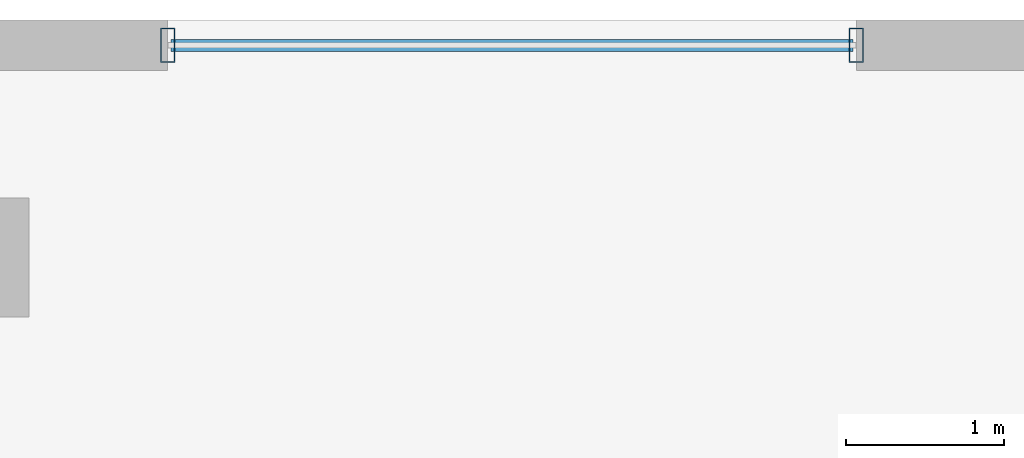
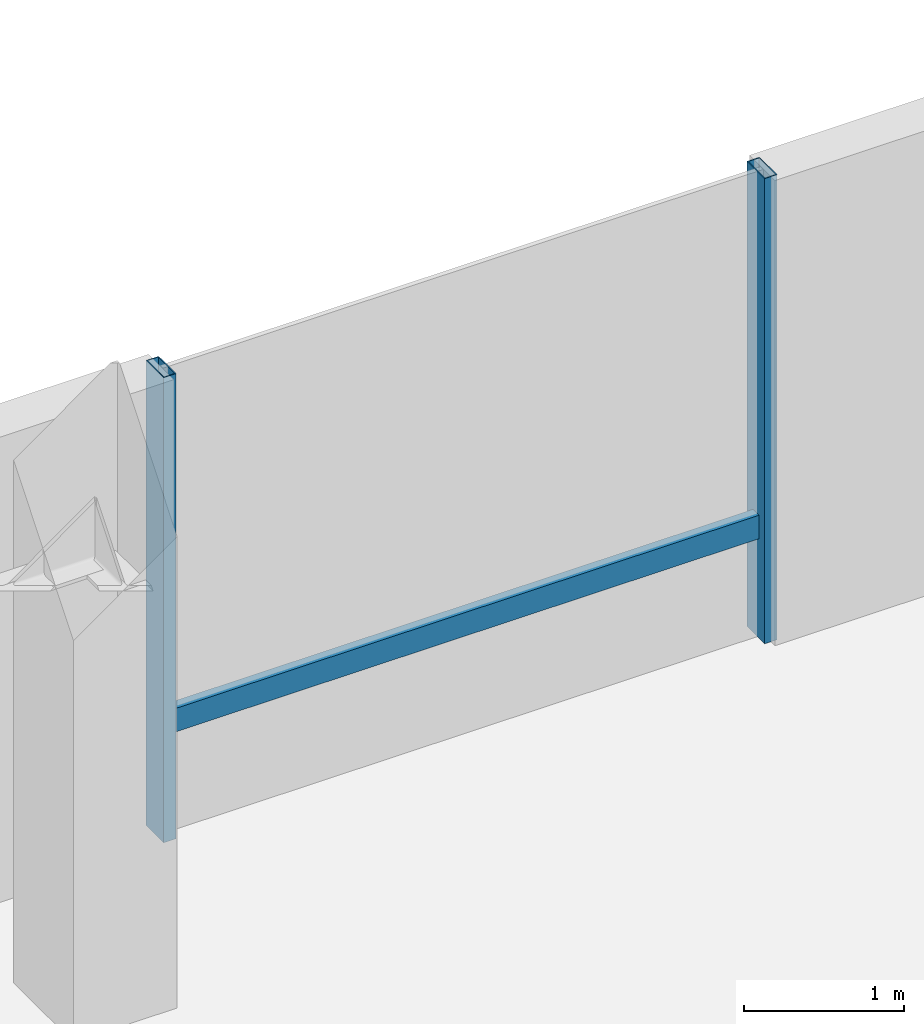
# One storey, part 11 of 25: 3 members, 1 element without a shape of its own.
"""IFC4 building model written with IfcOpenShell, lengths in metres."""

from ifc_helpers import new_model, si_unit, direction, frame, origin, origin_2d, place, context, subcontext, project, spatial, hollow_rectangle, extrude, material, material_profile, profile_set, type_object, element, aggregate, save


model = new_model("IFC4")

# Units and contexts
model_context = context("Model", 3, precision=1e-05, world=origin(), true_north=direction((0.0, 1.0)))
body_context = subcontext(model_context, "Body", "Model", "MODEL_VIEW")
ifc_project = project(units=[si_unit("LENGTHUNIT", "METRE"), si_unit("AREAUNIT", "SQUARE_METRE"), si_unit("VOLUMEUNIT", "CUBIC_METRE"), si_unit("PLANEANGLEUNIT", "RADIAN"), si_unit("MASSUNIT", "GRAM", prefix="KILO")], contexts=[model_context])

# Site, building, storey
site_placement = place(None, origin())
site = spatial("IfcSite", under=ifc_project, at=site_placement, CompositionType="ELEMENT")
building_placement = place(site_placement, origin())
building = spatial("IfcBuilding", under=site, at=building_placement, Name="Thornwick Lancets Civic Towers", CompositionType="ELEMENT")
storey_placement = place(building_placement, frame((0.0, 0.0, 9.60009765625)))
storey = spatial("IfcBuildingStorey", under=building, at=storey_placement, Name="L02", CompositionType="ELEMENT", Elevation=9.60009765625)

# Curtain wall, members
ifc_material_1 = material(Name="Terracotta-trimmed cascading podium ribbon curtain wall", Category="masonry")
curtain_wall_type = type_object("IfcCurtainWallType", Name="CW_SYS_02", PredefinedType="NOTDEFINED", material=ifc_material_1)
curtain_wall_placement = place(storey_placement, origin())
curtain_wall = element("IfcCurtainWall", 1, at=curtain_wall_placement, inside=storey, type_object=curtain_wall_type, Name="L02 Curtain Wall CW-L02-POD-NC-S1", PredefinedType="NOTDEFINED")
ifc_material_2 = material(Name="Thermally broken bronze aluminium S355", Category="steel")
ifc_material_profile_1 = material_profile(ifc_material_2, hollow_rectangle(XDim=0.090087890625, YDim=0.219970703125, WallThickness=0.00634765625, at=origin_2d()), Name="RHS 220x90x6.3")
ifc_profile_set_1 = profile_set([ifc_material_profile_1], Name="Thermally broken bronze aluminium S355")
member_type_1 = type_object("IfcMemberType", Name="CW_MUL_220", PredefinedType="MULLION", material=ifc_profile_set_1)
member_1_placement = place(storey_placement, frame((71.60009765625, 49.340087890625, 0.0), z_axis=(0.0, 0.0, 1.0), x_axis=(1.0, 0.0, 0.0)))
member_1 = element("IfcMember", 2, at=member_1_placement, type_object=member_type_1, Name="CW-L02-POD-NC-S1 Mullion 0", PredefinedType="MULLION", context=body_context, shape_type="SweptSolid", body=[
    extrude(hollow_rectangle(XDim=0.090087890625, YDim=0.219970703125, WallThickness=0.00634765625, at=origin_2d()), origin(), (0.0, 0.0, 1.0), 3.559814453125),
])
member_2_placement = place(storey_placement, frame((67.25, 49.340087890625, 0.0), z_axis=(0.0, 0.0, 1.0), x_axis=(1.0, 0.0, 0.0)))
member_2 = element("IfcMember", 3, at=member_2_placement, type_object=member_type_1, Name="CW-L02-POD-NC-S1 Mullion 1", PredefinedType="MULLION", context=body_context, shape_type="SweptSolid", body=[
    extrude(hollow_rectangle(XDim=0.090087890625, YDim=0.219970703125, WallThickness=0.00634765625, at=origin_2d()), origin(), (0.0, 0.0, 1.0), 3.559814453125),
])
ifc_material_profile_2 = material_profile(ifc_material_2, hollow_rectangle(XDim=0.074951171875, YDim=0.179931640625, WallThickness=0.006103515625, at=origin_2d()), Name="RHS 180x75x6")
ifc_profile_set_2 = profile_set([ifc_material_profile_2], Name="Thermally broken bronze aluminium S355")
member_type_2 = type_object("IfcMemberType", Name="CW_TRN_180", PredefinedType="USERDEFINED", material=ifc_profile_set_2)
member_3_placement = place(storey_placement, frame((71.580078125, 49.340087890625, 0.849853515625), z_axis=(-1.0, 0.0, 0.0), x_axis=(0.0, -1.0, 0.0)))
member_3 = element("IfcMember", 4, at=member_3_placement, type_object=member_type_2, Name="CW-L02-POD-NC-S1 Transom 0", ObjectType="TRANSOM", PredefinedType="USERDEFINED", context=body_context, shape_type="SweptSolid", body=[
    extrude(hollow_rectangle(XDim=0.074951171875, YDim=0.179931640625, WallThickness=0.006103515625, at=origin_2d()), origin(), (0.0, 0.0, 1.0), 4.31005859375),
])
aggregate(curtain_wall, [member_1, member_2, member_3])

save(model, "model.ifc")
